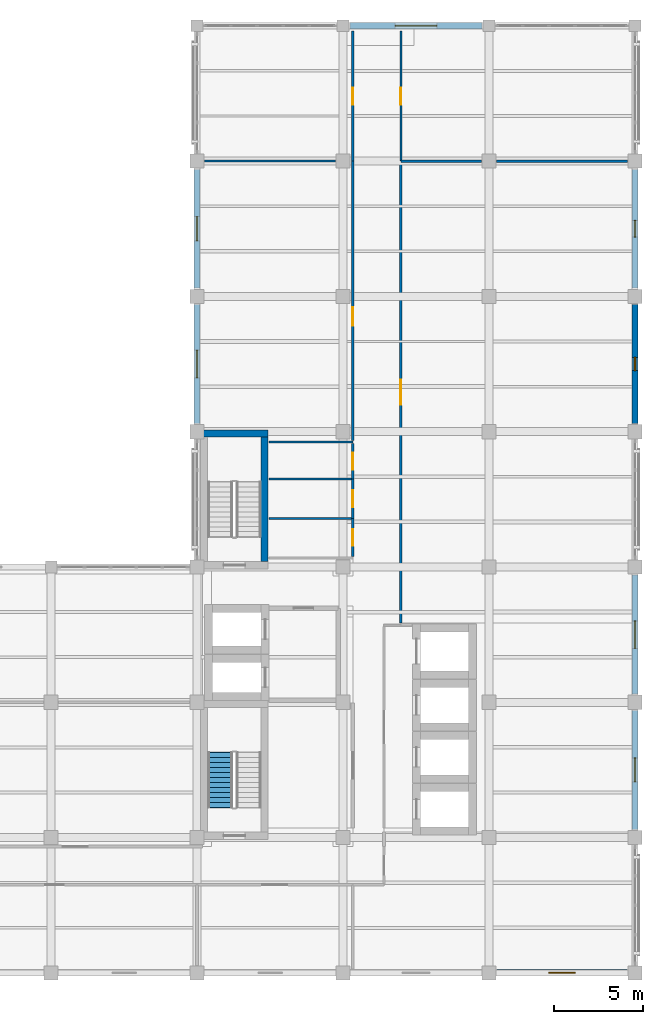
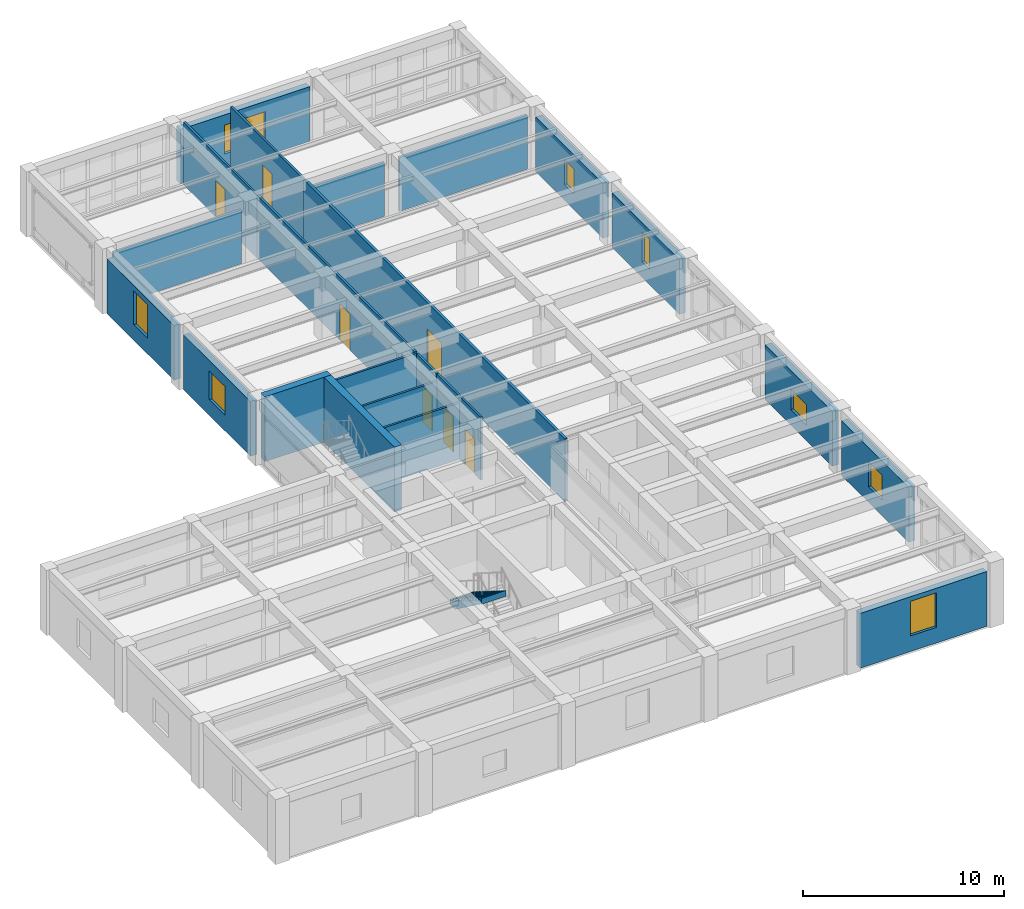
# One storey, part 9 of 14: 23 walls, 8 windows, 7 doors, 1 stair flight, 15 openings, 1 element without a shape of its own.
"""IFC4 building model written with IfcOpenShell, lengths in metres."""

from ifc_helpers import new_model, si_unit, direction, frame, frame_2d, origin, place, context, subcontext, project, spatial, polyline, rectangle, outline, extrude, material, layer, layer_set, type_object, element, fill, aggregate, save


model = new_model("IFC4")

# Units and contexts
model_context = context("Model", 3, precision=1e-05, world=origin(), true_north=direction((0.0, 1.0)))
body_context = subcontext(model_context, "Body", "Model", "MODEL_VIEW")
ifc_project = project(units=[si_unit("LENGTHUNIT", "METRE"), si_unit("AREAUNIT", "SQUARE_METRE"), si_unit("VOLUMEUNIT", "CUBIC_METRE"), si_unit("PLANEANGLEUNIT", "RADIAN"), si_unit("MASSUNIT", "GRAM", prefix="KILO")], contexts=[model_context])

# Site, building, storey
site_placement = place(None, origin())
site = spatial("IfcSite", under=ifc_project, at=site_placement, CompositionType="ELEMENT")
building_placement = place(site_placement, origin())
building = spatial("IfcBuilding", under=site, at=building_placement, Name="Qandaris Square Conservatory and Botanical Centre", CompositionType="ELEMENT")
storey_placement = place(building_placement, frame((0.0, 0.0, 40.800048828125)))
storey = spatial("IfcBuildingStorey", under=building, at=storey_placement, Name="L09", CompositionType="ELEMENT", Elevation=40.800048828125)

# Wall, opening, door
ifc_material_1 = material(Name="Gypsum Plasterboard", Category="gypsum")
ifc_layer_1 = layer(ifc_material_1, 0.14990234375)
ifc_layer_set_1 = layer_set([ifc_layer_1], Name="Gypsum Plasterboard")
wall_type_1 = type_object("IfcWallType", Name="Acoustic Laboratory Partition 150mm", PredefinedType="PARTITIONING", material=ifc_layer_set_1)
wall_1_placement = place(storey_placement, frame((150.64990234375, 62.199951171875, 0.0), z_axis=(0.0, 0.0, 1.0), x_axis=(0.0, -1.0, 0.0)))
wall_1 = element("IfcWall", 1, at=wall_1_placement, inside=storey, type_object=wall_type_1, Name="Interior Partition IW-L09-0330", PredefinedType="PARTITIONING", context=body_context, shape_type="SweptSolid", body=[
    extrude(rectangle(XDim=25.949951171875, YDim=0.14990234375, at=frame_2d((12.97509765625, 0.0))), origin(), (0.0, 0.0, 1.0), 3.804931640625),
])
opening_1_placement = place(wall_1_placement, frame((12.27490234375, 0.0, 0.0)))
opening_1 = element("IfcOpeningElement", 2, at=opening_1_placement, cuts=wall_1, Name="Opening D-LAB1", PredefinedType="OPENING", context=body_context, shape_type="SweptSolid", body=[
    extrude(rectangle(XDim=1.39990234375, YDim=2.199951171875, at=frame_2d((0.699951171875, 1.10009765625))), frame((0.0, 0.0869140625, 0.0), z_axis=(0.0, -1.0, 0.0), x_axis=(1.0, 0.0, 0.0)), (0.0, 0.0, 1.0), 0.173828125),
])
ifc_material_2 = material(Name="Engineered Oak Timber", Category="wood")
door_type_1 = type_object("IfcDoorType", Name="Research Laboratory Leaf-and-Half Door 1400x2200", OperationType="DOUBLE_DOOR_SINGLE_SWING", PredefinedType="DOOR", material=ifc_material_2)
door_1_placement = place(opening_1_placement, frame((1.39990234375, 0.0, 0.0), z_axis=(0.0, 0.0, 1.0), x_axis=(-1.0, 0.0, 0.0)))
door_1 = element("IfcDoor", 3, at=door_1_placement, inside=storey, type_object=door_type_1, Name="DR-0295 Mangrove Restoration Analytical Laboratory Door", OperationType="DOUBLE_DOOR_SINGLE_SWING", OverallHeight=2.199951171875, OverallWidth=1.39990234375, PredefinedType="DOOR", context=body_context, shape_type="SweptSolid", body=[
    extrude(rectangle(XDim=1.39990234375, YDim=2.199951171875, at=frame_2d((0.699951171875, 1.10009765625))), frame((0.0, 0.02490234375, 0.0), z_axis=(0.0, -1.0, 0.0), x_axis=(1.0, 0.0, 0.0)), (0.0, 0.0, 1.0), 0.050048828125),
])
fill(opening_1, door_1)

# Walls
wall_2_placement = place(storey_placement, frame((150.64990234375, 62.199951171875, 0.0), z_axis=(0.0, 0.0, 1.0), x_axis=(1.0, 0.0, 0.0)))
element("IfcWall", 4, at=wall_2_placement, inside=storey, type_object=wall_type_1, Name="Interior Partition IW-L09-0337", PredefinedType="PARTITIONING", context=body_context, shape_type="SweptSolid", body=[
    extrude(rectangle(XDim=4.530029296875, YDim=0.14990234375, at=frame_2d((2.26513671875, 0.0))), origin(), (0.0, 0.0, 1.0), 3.27490234375),
])
wall_3_placement = place(storey_placement, frame((156.02001953125, 62.199951171875, 0.0), z_axis=(0.0, 0.0, 1.0), x_axis=(1.0, 0.0, 0.0)))
element("IfcWall", 5, at=wall_3_placement, inside=storey, type_object=wall_type_1, Name="Interior Partition IW-L09-0338", PredefinedType="PARTITIONING", context=body_context, shape_type="SweptSolid", body=[
    extrude(rectangle(XDim=7.35986328125, YDim=0.14990234375, at=frame_2d((3.679931640625, 0.0))), origin(), (0.0, 0.0, 1.0), 3.27490234375),
])

# Wall, opening, window
ifc_material_3 = material(Name="Precast concrete C40/50", Category="concrete")
ifc_layer_2 = layer(ifc_material_3, 0.360107421875)
ifc_layer_set_2 = layer_set([ifc_layer_2], Name="Precast concrete C40/50")
wall_type_2 = type_object("IfcWallType", Name="Architectural Precast Cladding Wall 360mm", PredefinedType="SOLIDWALL", material=ifc_layer_set_2)
wall_4_placement = place(storey_placement, frame((156.06005859375, 16.60009765625, 0.0), z_axis=(0.0, 0.0, 1.0), x_axis=(1.0, 0.0, 0.0)))
wall_4 = element("IfcWall", 6, at=wall_4_placement, inside=storey, type_object=wall_type_2, Name="Exterior Wall EW-TWR-L09-1-5", PredefinedType="SOLIDWALL", context=body_context, shape_type="SweptSolid", body=[
    extrude(rectangle(XDim=7.280029296875, YDim=0.360107421875, at=frame_2d((3.64013671875, 0.0))), origin(), (0.0, 0.0, 1.0), 3.324951171875),
])
opening_2_placement = place(wall_4_placement, frame((2.889892578125, 0.0, 0.949951171875)))
opening_2 = element("IfcOpeningElement", 7, at=opening_2_placement, cuts=wall_4, Name="Opening WN-02", PredefinedType="OPENING", context=body_context, shape_type="SweptSolid", body=[
    extrude(rectangle(XDim=1.5, YDim=2.10009765625, at=frame_2d((0.75, 1.050048828125))), frame((0.0, 0.19189453125, 0.0), z_axis=(0.0, -1.0, 0.0), x_axis=(1.0, 0.0, 0.0)), (0.0, 0.0, 1.0), 0.384033203125),
])
ifc_material_4 = material(Name="Tempered Low-E Glass", Category="glass")
window_type_1 = type_object("IfcWindowType", Name="Deep-Set Paired Research Window 1500x2100", PartitioningType="DOUBLE_PANEL_VERTICAL", PredefinedType="WINDOW", material=ifc_material_4)
window_1_placement = place(opening_2_placement, origin())
window_1 = element("IfcWindow", 8, at=window_1_placement, inside=storey, type_object=window_type_1, Name="Window EW-TWR-L09-1-5", OverallHeight=2.10009765625, OverallWidth=1.5, PartitioningType="DOUBLE_PANEL_VERTICAL", PredefinedType="WINDOW", context=body_context, shape_type="SweptSolid", body=[
    extrude(rectangle(XDim=1.5, YDim=2.10009765625, at=frame_2d((0.75, 1.050048828125))), frame((0.0, 0.030029296875, 0.0), z_axis=(0.0, -1.0, 0.0), x_axis=(1.0, 0.0, 0.0)), (0.0, 0.0, 1.0), 0.06005859375),
])
fill(opening_2, window_1)

wall_5_placement = place(storey_placement, frame((163.800048828125, 24.659912109375, 0.0), z_axis=(0.0, 0.0, 1.0), x_axis=(0.0, 1.0, 0.0)))
wall_5 = element("IfcWall", 9, at=wall_5_placement, inside=storey, type_object=wall_type_2, Name="Exterior Wall EW-TWR-L09-2-2", PredefinedType="SOLIDWALL", context=body_context, shape_type="SweptSolid", body=[
    extrude(rectangle(XDim=6.68017578125, YDim=0.360107421875, at=frame_2d((3.340087890625, 0.0))), origin(), (0.0, 0.0, 1.0), 3.324951171875),
])
opening_3_placement = place(wall_5_placement, frame((2.6650390625, 0.0, 0.949951171875)))
opening_3 = element("IfcOpeningElement", 10, at=opening_3_placement, cuts=wall_5, Name="Opening WN-22", PredefinedType="OPENING", context=body_context, shape_type="SweptSolid", body=[
    extrude(rectangle(XDim=1.35009765625, YDim=1.5, at=frame_2d((0.675048828125, 0.75))), frame((0.0, 0.19189453125, 0.0), z_axis=(0.0, -1.0, 0.0), x_axis=(1.0, 0.0, 0.0)), (0.0, 0.0, 1.0), 0.384033203125),
])
window_type_2 = type_object("IfcWindowType", Name="Solar Control Window 1350x1500", PartitioningType="SINGLE_PANEL", PredefinedType="WINDOW", material=ifc_material_4)
window_2_placement = place(opening_3_placement, origin())
window_2 = element("IfcWindow", 11, at=window_2_placement, inside=storey, type_object=window_type_2, Name="Window EW-TWR-L09-2-2", OverallHeight=1.5, OverallWidth=1.35009765625, PartitioningType="SINGLE_PANEL", PredefinedType="WINDOW", context=body_context, shape_type="SweptSolid", body=[
    extrude(rectangle(XDim=1.35009765625, YDim=1.5, at=frame_2d((0.675048828125, 0.75))), frame((0.0, 0.030029296875, 0.0), z_axis=(0.0, -1.0, 0.0), x_axis=(1.0, 0.0, 0.0)), (0.0, 0.0, 1.0), 0.06005859375),
])
fill(opening_3, window_2)

wall_6_placement = place(storey_placement, frame((163.800048828125, 32.260009765625, 0.0), z_axis=(0.0, 0.0, 1.0), x_axis=(0.0, 1.0, 0.0)))
wall_6 = element("IfcWall", 12, at=wall_6_placement, inside=storey, type_object=wall_type_2, Name="Exterior Wall EW-TWR-L09-2-3", PredefinedType="SOLIDWALL", context=body_context, shape_type="SweptSolid", body=[
    extrude(rectangle(XDim=6.679931640625, YDim=0.360107421875, at=frame_2d((3.33984375, 0.0))), origin(), (0.0, 0.0, 1.0), 3.324951171875),
])
opening_4_placement = place(wall_6_placement, frame((2.56494140625, 0.0, 0.949951171875)))
opening_4 = element("IfcOpeningElement", 13, at=opening_4_placement, cuts=wall_6, Name="Opening WN-25", PredefinedType="OPENING", context=body_context, shape_type="SweptSolid", body=[
    extrude(rectangle(XDim=1.550048828125, YDim=1.25, at=frame_2d((0.77490234375, 0.625))), frame((0.0, 0.19189453125, 0.0), z_axis=(0.0, -1.0, 0.0), x_axis=(1.0, 0.0, 0.0)), (0.0, 0.0, 1.0), 0.384033203125),
])
window_type_3 = type_object("IfcWindowType", Name="Solar Control Window 1550x1250", PartitioningType="DOUBLE_PANEL_VERTICAL", PredefinedType="WINDOW", material=ifc_material_4)
window_3_placement = place(opening_4_placement, origin())
window_3 = element("IfcWindow", 14, at=window_3_placement, inside=storey, type_object=window_type_3, Name="Window EW-TWR-L09-2-3", OverallHeight=1.25, OverallWidth=1.550048828125, PartitioningType="DOUBLE_PANEL_VERTICAL", PredefinedType="WINDOW", context=body_context, shape_type="SweptSolid", body=[
    extrude(rectangle(XDim=1.550048828125, YDim=1.25, at=frame_2d((0.77490234375, 0.625))), frame((0.0, 0.030029296875, 0.0), z_axis=(0.0, -1.0, 0.0), x_axis=(1.0, 0.0, 0.0)), (0.0, 0.0, 1.0), 0.06005859375),
])
fill(opening_4, window_3)

wall_7_placement = place(storey_placement, frame((163.800048828125, 47.4599609375, 0.0), z_axis=(0.0, 0.0, 1.0), x_axis=(0.0, 1.0, 0.0)))
wall_7 = element("IfcWall", 15, at=wall_7_placement, inside=storey, type_object=wall_type_2, Name="Exterior Wall EW-TWR-L09-2-5", PredefinedType="SOLIDWALL", context=body_context, shape_type="SweptSolid", body=[
    extrude(rectangle(XDim=6.679931640625, YDim=0.360107421875, at=frame_2d((3.33984375, 0.0))), origin(), (0.0, 0.0, 1.0), 3.324951171875),
])
opening_5_placement = place(wall_7_placement, frame((2.965087890625, 0.0, 0.949951171875)))
opening_5 = element("IfcOpeningElement", 16, at=opening_5_placement, cuts=wall_7, Name="Opening WN-03", PredefinedType="OPENING", context=body_context, shape_type="SweptSolid", body=[
    extrude(rectangle(XDim=0.75, YDim=1.800048828125, at=frame_2d((0.375, 0.89990234375))), frame((0.0, 0.19189453125, 0.0), z_axis=(0.0, -1.0, 0.0), x_axis=(1.0, 0.0, 0.0)), (0.0, 0.0, 1.0), 0.384033203125),
])
window_type_4 = type_object("IfcWindowType", Name="Herbarium UV-Filtered Slot Window 750x1800", PartitioningType="SINGLE_PANEL", PredefinedType="WINDOW", material=ifc_material_4)
window_4_placement = place(opening_5_placement, origin())
window_4 = element("IfcWindow", 17, at=window_4_placement, inside=storey, type_object=window_type_4, Name="Window EW-TWR-L09-2-5", OverallHeight=1.800048828125, OverallWidth=0.75, PartitioningType="SINGLE_PANEL", PredefinedType="WINDOW", context=body_context, shape_type="SweptSolid", body=[
    extrude(rectangle(XDim=0.75, YDim=1.800048828125, at=frame_2d((0.375, 0.89990234375))), frame((0.0, 0.030029296875, 0.0), z_axis=(0.0, -1.0, 0.0), x_axis=(1.0, 0.0, 0.0)), (0.0, 0.0, 1.0), 0.06005859375),
])
fill(opening_5, window_4)

wall_8_placement = place(storey_placement, frame((163.800048828125, 55.06005859375, 0.0), z_axis=(0.0, 0.0, 1.0), x_axis=(0.0, 1.0, 0.0)))
wall_8 = element("IfcWall", 18, at=wall_8_placement, inside=storey, type_object=wall_type_2, Name="Exterior Wall EW-TWR-L09-2-6", PredefinedType="SOLIDWALL", context=body_context, shape_type="SweptSolid", body=[
    extrude(rectangle(XDim=6.679931640625, YDim=0.360107421875, at=frame_2d((3.33984375, 0.0))), origin(), (0.0, 0.0, 1.0), 3.324951171875),
])
opening_6_placement = place(wall_8_placement, frame((2.864990234375, 0.0, 0.949951171875)))
opening_6 = element("IfcOpeningElement", 19, at=opening_6_placement, cuts=wall_8, Name="Opening WN-14", PredefinedType="OPENING", context=body_context, shape_type="SweptSolid", body=[
    extrude(rectangle(XDim=0.949951171875, YDim=1.5, at=frame_2d((0.47509765625, 0.75))), frame((0.0, 0.19189453125, 0.0), z_axis=(0.0, -1.0, 0.0), x_axis=(1.0, 0.0, 0.0)), (0.0, 0.0, 1.0), 0.384033203125),
])
window_type_5 = type_object("IfcWindowType", Name="Solar Control Window 950x1500", PartitioningType="SINGLE_PANEL", PredefinedType="WINDOW", material=ifc_material_4)
window_5_placement = place(opening_6_placement, origin())
window_5 = element("IfcWindow", 20, at=window_5_placement, inside=storey, type_object=window_type_5, Name="Window EW-TWR-L09-2-6", OverallHeight=1.5, OverallWidth=0.949951171875, PartitioningType="SINGLE_PANEL", PredefinedType="WINDOW", context=body_context, shape_type="SweptSolid", body=[
    extrude(rectangle(XDim=0.949951171875, YDim=1.5, at=frame_2d((0.47509765625, 0.75))), frame((0.0, 0.030029296875, 0.0), z_axis=(0.0, -1.0, 0.0), x_axis=(1.0, 0.0, 0.0)), (0.0, 0.0, 1.0), 0.06005859375),
])
fill(opening_6, window_5)

wall_9_placement = place(storey_placement, frame((155.215087890625, 69.800048828125, 0.0), z_axis=(0.0, 0.0, 1.0), x_axis=(-1.0, 0.0, 0.0)))
wall_9 = element("IfcWall", 21, at=wall_9_placement, inside=storey, type_object=wall_type_2, Name="Exterior Wall EW-TWR-L09-3-2", PredefinedType="SOLIDWALL", context=body_context, shape_type="SweptSolid", body=[
    extrude(rectangle(XDim=7.43017578125, YDim=0.360107421875, at=frame_2d((3.715087890625, 0.0))), origin(), (0.0, 0.0, 1.0), 3.324951171875),
])
opening_7_placement = place(wall_9_placement, frame((2.5400390625, 0.0, 0.949951171875)))
opening_7 = element("IfcOpeningElement", 22, at=opening_7_placement, cuts=wall_9, Name="Opening WN-39", PredefinedType="OPENING", context=body_context, shape_type="SweptSolid", body=[
    extrude(rectangle(XDim=2.35009765625, YDim=1.75, at=frame_2d((1.175048828125, 0.875))), frame((0.0, 0.19189453125, 0.0), z_axis=(0.0, -1.0, 0.0), x_axis=(1.0, 0.0, 0.0)), (0.0, 0.0, 1.0), 0.384033203125),
])
window_type_6 = type_object("IfcWindowType", Name="Solar Control Window 2350x1750", PartitioningType="DOUBLE_PANEL_VERTICAL", PredefinedType="WINDOW", material=ifc_material_4)
window_6_placement = place(opening_7_placement, origin())
window_6 = element("IfcWindow", 23, at=window_6_placement, inside=storey, type_object=window_type_6, Name="Window EW-TWR-L09-3-2", OverallHeight=1.75, OverallWidth=2.35009765625, PartitioningType="DOUBLE_PANEL_VERTICAL", PredefinedType="WINDOW", context=body_context, shape_type="SweptSolid", body=[
    extrude(rectangle(XDim=2.35009765625, YDim=1.75, at=frame_2d((1.175048828125, 0.875))), frame((0.0, 0.030029296875, 0.0), z_axis=(0.0, -1.0, 0.0), x_axis=(1.0, 0.0, 0.0)), (0.0, 0.0, 1.0), 0.06005859375),
])
fill(opening_7, window_6)

wall_10_placement = place(storey_placement, frame((139.199951171875, 61.739990234375, 0.0), z_axis=(0.0, 0.0, 1.0), x_axis=(0.0, -1.0, 0.0)))
wall_10 = element("IfcWall", 24, at=wall_10_placement, inside=storey, type_object=wall_type_2, Name="Exterior Wall EW-TWR-L09-4-2", PredefinedType="SOLIDWALL", context=body_context, shape_type="SweptSolid", body=[
    extrude(rectangle(XDim=6.679931640625, YDim=0.360107421875, at=frame_2d((3.33984375, 0.0))), origin(), (0.0, 0.0, 1.0), 3.324951171875),
])
opening_8_placement = place(wall_10_placement, frame((2.6650390625, 0.0, 0.949951171875)))
opening_8 = element("IfcOpeningElement", 25, at=opening_8_placement, cuts=wall_10, Name="Opening WN-24", PredefinedType="OPENING", context=body_context, shape_type="SweptSolid", body=[
    extrude(rectangle(XDim=1.35009765625, YDim=2.050048828125, at=frame_2d((0.675048828125, 1.02490234375))), frame((0.0, 0.19189453125, 0.0), z_axis=(0.0, -1.0, 0.0), x_axis=(1.0, 0.0, 0.0)), (0.0, 0.0, 1.0), 0.384033203125),
])
window_type_7 = type_object("IfcWindowType", Name="Solar Control Window 1350x2050", PartitioningType="SINGLE_PANEL", PredefinedType="WINDOW", material=ifc_material_4)
window_7_placement = place(opening_8_placement, origin())
window_7 = element("IfcWindow", 26, at=window_7_placement, inside=storey, type_object=window_type_7, Name="Window EW-TWR-L09-4-2", OverallHeight=2.050048828125, OverallWidth=1.35009765625, PartitioningType="SINGLE_PANEL", PredefinedType="WINDOW", context=body_context, shape_type="SweptSolid", body=[
    extrude(rectangle(XDim=1.35009765625, YDim=2.050048828125, at=frame_2d((0.675048828125, 1.02490234375))), frame((0.0, 0.030029296875, 0.0), z_axis=(0.0, -1.0, 0.0), x_axis=(1.0, 0.0, 0.0)), (0.0, 0.0, 1.0), 0.06005859375),
])
fill(opening_8, window_7)

wall_11_placement = place(storey_placement, frame((139.199951171875, 54.139892578125, 0.0), z_axis=(0.0, 0.0, 1.0), x_axis=(0.0, -1.0, 0.0)))
wall_11 = element("IfcWall", 27, at=wall_11_placement, inside=storey, type_object=wall_type_2, Name="Exterior Wall EW-TWR-L09-4-3", PredefinedType="SOLIDWALL", context=body_context, shape_type="SweptSolid", body=[
    extrude(rectangle(XDim=6.679931640625, YDim=0.360107421875, at=frame_2d((3.33984375, 0.0))), origin(), (0.0, 0.0, 1.0), 3.324951171875),
])
opening_9_placement = place(wall_11_placement, frame((2.56494140625, 0.0, 0.949951171875)))
opening_9 = element("IfcOpeningElement", 28, at=opening_9_placement, cuts=wall_11, Name="Opening WN-27", PredefinedType="OPENING", context=body_context, shape_type="SweptSolid", body=[
    extrude(rectangle(XDim=1.550048828125, YDim=1.75, at=frame_2d((0.77490234375, 0.875))), frame((0.0, 0.19189453125, 0.0), z_axis=(0.0, -1.0, 0.0), x_axis=(1.0, 0.0, 0.0)), (0.0, 0.0, 1.0), 0.384033203125),
])
window_type_8 = type_object("IfcWindowType", Name="Solar Control Window 1550x1750", PartitioningType="DOUBLE_PANEL_VERTICAL", PredefinedType="WINDOW", material=ifc_material_4)
window_8_placement = place(opening_9_placement, origin())
window_8 = element("IfcWindow", 29, at=window_8_placement, inside=storey, type_object=window_type_8, Name="Window EW-TWR-L09-4-3", OverallHeight=1.75, OverallWidth=1.550048828125, PartitioningType="DOUBLE_PANEL_VERTICAL", PredefinedType="WINDOW", context=body_context, shape_type="SweptSolid", body=[
    extrude(rectangle(XDim=1.550048828125, YDim=1.75, at=frame_2d((0.77490234375, 0.875))), frame((0.0, 0.030029296875, 0.0), z_axis=(0.0, -1.0, 0.0), x_axis=(1.0, 0.0, 0.0)), (0.0, 0.0, 1.0), 0.06005859375),
])
fill(opening_9, window_8)

# Walls
ifc_material_5 = material(Name="Concrete C50/60", Category="concrete")
ifc_layer_3 = layer(ifc_material_5, 0.39990234375)
ifc_layer_set_3 = layer_set([ifc_layer_3], Name="Concrete C50/60")
wall_type_3 = type_object("IfcWallType", Name="RC Stair Core Shear Wall 400mm", PredefinedType="SHEAR", material=ifc_layer_set_3)
wall_12_placement = place(storey_placement, frame((139.39990234375, 46.89990234375, 0.0), z_axis=(0.0, 0.0, 1.0), x_axis=(1.0, 0.0, 0.0)))
element("IfcWall", 30, at=wall_12_placement, inside=storey, type_object=wall_type_3, Name="ST-2 Core Shear Wall North (L09)", PredefinedType="SHEAR", context=body_context, shape_type="SweptSolid", body=[
    extrude(rectangle(XDim=3.800048828125, YDim=0.39990234375, at=frame_2d((1.89990234375, 0.0))), origin(), (0.0, 0.0, 1.0), 3.93994140625),
])
wall_13_placement = place(storey_placement, frame((143.0, 39.699951171875, 0.0), z_axis=(0.0, 0.0, 1.0), x_axis=(0.0, 1.0, 0.0)))
element("IfcWall", 31, at=wall_13_placement, inside=storey, type_object=wall_type_3, Name="ST-2 Core Shear Wall East (L09)", PredefinedType="SHEAR", context=body_context, shape_type="SweptSolid", body=[
    extrude(rectangle(XDim=7.0, YDim=0.39990234375, at=frame_2d((3.5, 0.0))), origin(), (0.0, 0.0, 1.0), 3.93994140625),
])
ifc_layer_4 = layer(ifc_material_1, 0.1201171875)
ifc_layer_set_4 = layer_set([ifc_layer_4], Name="Gypsum Plasterboard")
wall_type_4 = type_object("IfcWallType", Name="Standard Research Partition 120mm", PredefinedType="PARTITIONING", material=ifc_layer_set_4)
wall_14_placement = place(storey_placement, frame((143.22998046875, 46.419921875, 0.0), z_axis=(0.0, 0.0, 1.0), x_axis=(1.0, 0.0, 0.0)))
element("IfcWall", 32, at=wall_14_placement, inside=storey, type_object=wall_type_4, Name="Sanitary Toilet Partition Wall WCW-L09-NORTH1", PredefinedType="PARTITIONING", context=body_context, shape_type="SweptSolid", body=[
    extrude(rectangle(XDim=4.719970703125, YDim=0.1201171875, at=frame_2d((2.35986328125, 0.0))), origin(), (0.0, 0.0, 1.0), 3.804931640625),
])
wall_15_placement = place(storey_placement, frame((143.22998046875, 42.1201171875, 0.0), z_axis=(0.0, 0.0, 1.0), x_axis=(1.0, 0.0, 0.0)))
element("IfcWall", 33, at=wall_15_placement, inside=storey, type_object=wall_type_4, Name="Interior Partition IW-L09-0320", PredefinedType="PARTITIONING", context=body_context, shape_type="SweptSolid", body=[
    extrude(rectangle(XDim=4.719970703125, YDim=0.1201171875, at=frame_2d((2.35986328125, 0.0))), origin(), (0.0, 0.0, 1.0), 3.4150390625),
])

# Wall, opening, door
wall_16_placement = place(storey_placement, frame((147.949951171875, 42.1201171875, 0.0), z_axis=(0.0, 0.0, 1.0), x_axis=(0.0, -1.0, 0.0)))
wall_16 = element("IfcWall", 34, at=wall_16_placement, inside=storey, type_object=wall_type_4, Name="Interior Partition IW-L09-0321", PredefinedType="PARTITIONING", context=body_context, shape_type="SweptSolid", body=[
    extrude(rectangle(XDim=2.130126953125, YDim=0.1201171875, at=frame_2d((1.06494140625, 0.0))), origin(), (0.0, 0.0, 1.0), 3.804931640625),
])
opening_10_placement = place(wall_16_placement, frame((0.590087890625, 0.0, 0.0)))
opening_10 = element("IfcOpeningElement", 35, at=opening_10_placement, cuts=wall_16, Name="Opening D-WC1", PredefinedType="OPENING", context=body_context, shape_type="SweptSolid", body=[
    extrude(rectangle(XDim=0.949951171875, YDim=2.14990234375, at=frame_2d((0.47509765625, 1.074951171875))), frame((0.0, 0.072021484375, 0.0), z_axis=(0.0, -1.0, 0.0), x_axis=(1.0, 0.0, 0.0)), (0.0, 0.0, 1.0), 0.14404296875),
])
door_type_2 = type_object("IfcDoorType", Name="Accessible Sanitary Room Door 950x2150", OperationType="NOTDEFINED", PredefinedType="DOOR", material=ifc_material_2)
door_2_placement = place(opening_10_placement, origin())
door_2 = element("IfcDoor", 36, at=door_2_placement, inside=storey, type_object=door_type_2, Name="DR-0306 Accessible Toilet L09 Door", OperationType="SINGLE_SWING_LEFT", OverallHeight=2.14990234375, OverallWidth=0.949951171875, PredefinedType="DOOR", context=body_context, shape_type="SweptSolid", body=[
    extrude(rectangle(XDim=0.949951171875, YDim=2.14990234375, at=frame_2d((0.47509765625, 1.074951171875))), frame((0.0, 0.02490234375, 0.0), z_axis=(0.0, -1.0, 0.0), x_axis=(1.0, 0.0, 0.0)), (0.0, 0.0, 1.0), 0.050048828125),
])
fill(opening_10, door_2)

# Wall
wall_17_placement = place(storey_placement, frame((143.22998046875, 44.340087890625, 0.0), z_axis=(0.0, 0.0, 1.0), x_axis=(1.0, 0.0, 0.0)))
element("IfcWall", 37, at=wall_17_placement, inside=storey, type_object=wall_type_4, Name="Interior Partition IW-L09-0322", PredefinedType="PARTITIONING", context=body_context, shape_type="SweptSolid", body=[
    extrude(rectangle(XDim=4.719970703125, YDim=0.1201171875, at=frame_2d((2.35986328125, 0.0))), origin(), (0.0, 0.0, 1.0), 3.364990234375),
])

# Wall, opening, door
wall_18_placement = place(storey_placement, frame((147.949951171875, 44.340087890625, 0.0), z_axis=(0.0, 0.0, 1.0), x_axis=(0.0, -1.0, 0.0)))
wall_18 = element("IfcWall", 38, at=wall_18_placement, inside=storey, type_object=wall_type_4, Name="Interior Partition IW-L09-0323", PredefinedType="PARTITIONING", context=body_context, shape_type="SweptSolid", body=[
    extrude(rectangle(XDim=2.219970703125, YDim=0.1201171875, at=frame_2d((1.10986328125, 0.0))), origin(), (0.0, 0.0, 1.0), 3.804931640625),
])
opening_11_placement = place(wall_18_placement, frame((0.635009765625, 0.0, 0.0)))
opening_11 = element("IfcOpeningElement", 39, at=opening_11_placement, cuts=wall_18, Name="Opening D-WC1", PredefinedType="OPENING", context=body_context, shape_type="SweptSolid", body=[
    extrude(rectangle(XDim=0.949951171875, YDim=2.14990234375, at=frame_2d((0.47509765625, 1.074951171875))), frame((0.0, 0.072021484375, 0.0), z_axis=(0.0, -1.0, 0.0), x_axis=(1.0, 0.0, 0.0)), (0.0, 0.0, 1.0), 0.14404296875),
])
door_3_placement = place(opening_11_placement, origin())
door_3 = element("IfcDoor", 40, at=door_3_placement, inside=storey, type_object=door_type_2, Name="DR-0307 Staff Male Toilet L09 Door", OperationType="SINGLE_SWING_RIGHT", OverallHeight=2.14990234375, OverallWidth=0.949951171875, PredefinedType="DOOR", context=body_context, shape_type="SweptSolid", body=[
    extrude(rectangle(XDim=0.949951171875, YDim=2.14990234375, at=frame_2d((0.47509765625, 1.074951171875))), frame((0.0, 0.02490234375, 0.0), z_axis=(0.0, -1.0, 0.0), x_axis=(1.0, 0.0, 0.0)), (0.0, 0.0, 1.0), 0.050048828125),
])
fill(opening_11, door_3)

wall_19_placement = place(storey_placement, frame((147.949951171875, 46.330078125, 0.0), z_axis=(0.0, 0.0, 1.0), x_axis=(0.0, -1.0, 0.0)))
wall_19 = element("IfcWall", 41, at=wall_19_placement, inside=storey, type_object=wall_type_4, Name="Interior Partition IW-L09-0324", PredefinedType="PARTITIONING", context=body_context, shape_type="SweptSolid", body=[
    extrude(rectangle(XDim=1.989990234375, YDim=0.1201171875, at=frame_2d((0.9951171875, 0.0))), origin(), (0.0, 0.0, 1.0), 3.804931640625),
])
opening_12_placement = place(wall_19_placement, frame((0.52001953125, 0.0, 0.0)))
opening_12 = element("IfcOpeningElement", 42, at=opening_12_placement, cuts=wall_19, Name="Opening D-WC1", PredefinedType="OPENING", context=body_context, shape_type="SweptSolid", body=[
    extrude(rectangle(XDim=0.949951171875, YDim=2.14990234375, at=frame_2d((0.47509765625, 1.074951171875))), frame((0.0, 0.072021484375, 0.0), z_axis=(0.0, -1.0, 0.0), x_axis=(1.0, 0.0, 0.0)), (0.0, 0.0, 1.0), 0.14404296875),
])
door_4_placement = place(opening_12_placement, frame((0.949951171875, 0.0, 0.0), z_axis=(0.0, 0.0, 1.0), x_axis=(-1.0, 0.0, 0.0)))
door_4 = element("IfcDoor", 43, at=door_4_placement, inside=storey, type_object=door_type_2, Name="DR-0308 Staff Female Toilet L09 Door", OperationType="SINGLE_SWING_LEFT", OverallHeight=2.14990234375, OverallWidth=0.949951171875, PredefinedType="DOOR", context=body_context, shape_type="SweptSolid", body=[
    extrude(rectangle(XDim=0.949951171875, YDim=2.14990234375, at=frame_2d((0.47509765625, 1.074951171875))), frame((0.0, 0.02490234375, 0.0), z_axis=(0.0, -1.0, 0.0), x_axis=(1.0, 0.0, 0.0)), (0.0, 0.0, 1.0), 0.050048828125),
])
fill(opening_12, door_4)

wall_20_placement = place(storey_placement, frame((147.949951171875, 46.510009765625, 0.0), z_axis=(0.0, 0.0, 1.0), x_axis=(0.0, 1.0, 0.0)))
wall_20 = element("IfcWall", 44, at=wall_20_placement, inside=storey, type_object=wall_type_4, Name="Interior Partition IW-L09-0331", PredefinedType="PARTITIONING", context=body_context, shape_type="SweptSolid", body=[
    extrude(rectangle(XDim=15.68994140625, YDim=0.1201171875, at=frame_2d((7.844970703125, 0.0))), origin(), (0.0, 0.0, 1.0), 3.804931640625),
])
opening_13_placement = place(wall_20_placement, frame((6.443115234375, 0.0, 0.0)))
opening_13 = element("IfcOpeningElement", 45, at=opening_13_placement, cuts=wall_20, Name="Opening D-LAB2", PredefinedType="OPENING", context=body_context, shape_type="SweptSolid", body=[
    extrude(rectangle(XDim=1.050048828125, YDim=2.199951171875, at=frame_2d((0.52490234375, 1.10009765625))), frame((0.0, 0.072021484375, 0.0), z_axis=(0.0, -1.0, 0.0), x_axis=(1.0, 0.0, 0.0)), (0.0, 0.0, 1.0), 0.14404296875),
])
door_type_3 = type_object("IfcDoorType", Name="Analytical Laboratory Single Door 1050x2200", OperationType="NOTDEFINED", PredefinedType="DOOR", material=ifc_material_2)
door_5_placement = place(opening_13_placement, origin())
door_5 = element("IfcDoor", 46, at=door_5_placement, inside=storey, type_object=door_type_3, Name="DR-0299 Thermal Adaptation Specimen Prep Room Door", OperationType="SINGLE_SWING_RIGHT", OverallHeight=2.199951171875, OverallWidth=1.050048828125, PredefinedType="DOOR", context=body_context, shape_type="SweptSolid", body=[
    extrude(rectangle(XDim=1.050048828125, YDim=2.199951171875, at=frame_2d((0.52490234375, 1.10009765625))), frame((0.0, 0.02490234375, 0.0), z_axis=(0.0, -1.0, 0.0), x_axis=(1.0, 0.0, 0.0)), (0.0, 0.0, 1.0), 0.050048828125),
])
fill(opening_13, door_5)

wall_21_placement = place(storey_placement, frame((147.949951171875, 62.199951171875, 0.0), z_axis=(0.0, 0.0, 1.0), x_axis=(0.0, 1.0, 0.0)))
wall_21 = element("IfcWall", 47, at=wall_21_placement, inside=storey, type_object=wall_type_4, Name="Interior Partition IW-L09-0332", PredefinedType="PARTITIONING", context=body_context, shape_type="SweptSolid", body=[
    extrude(rectangle(XDim=7.300048828125, YDim=0.1201171875, at=frame_2d((3.64990234375, 0.0))), origin(), (0.0, 0.0, 1.0), 3.804931640625),
])
opening_14_placement = place(wall_21_placement, frame((3.175048828125, 0.0, 0.0)))
opening_14 = element("IfcOpeningElement", 48, at=opening_14_placement, cuts=wall_21, Name="Opening D-OFF1", PredefinedType="OPENING", context=body_context, shape_type="SweptSolid", body=[
    extrude(rectangle(XDim=0.949951171875, YDim=2.199951171875, at=frame_2d((0.47509765625, 1.10009765625))), frame((0.0, 0.072021484375, 0.0), z_axis=(0.0, -1.0, 0.0), x_axis=(1.0, 0.0, 0.0)), (0.0, 0.0, 1.0), 0.14404296875),
])
door_type_4 = type_object("IfcDoorType", Name="Research Office Acoustic Door 950x2200", OperationType="NOTDEFINED", PredefinedType="DOOR", material=ifc_material_2)
door_6_placement = place(opening_14_placement, frame((0.949951171875, 0.0, 0.0), z_axis=(0.0, 0.0, 1.0), x_axis=(-1.0, 0.0, 0.0)))
door_6 = element("IfcDoor", 49, at=door_6_placement, inside=storey, type_object=door_type_4, Name="DR-0301 Phenomics Imaging Collaborative Seminar Room Door", OperationType="SINGLE_SWING_LEFT", OverallHeight=2.199951171875, OverallWidth=0.949951171875, PredefinedType="DOOR", context=body_context, shape_type="SweptSolid", body=[
    extrude(rectangle(XDim=0.949951171875, YDim=2.199951171875, at=frame_2d((0.47509765625, 1.10009765625))), frame((0.0, 0.02490234375, 0.0), z_axis=(0.0, -1.0, 0.0), x_axis=(1.0, 0.0, 0.0)), (0.0, 0.0, 1.0), 0.050048828125),
])
fill(opening_14, door_6)

wall_22_placement = place(storey_placement, frame((150.64990234375, 69.5, 0.0), z_axis=(0.0, 0.0, 1.0), x_axis=(0.0, -1.0, 0.0)))
wall_22 = element("IfcWall", 50, at=wall_22_placement, inside=storey, type_object=wall_type_4, Name="Interior Partition IW-L09-0333", PredefinedType="PARTITIONING", context=body_context, shape_type="SweptSolid", body=[
    extrude(rectangle(XDim=7.300048828125, YDim=0.1201171875, at=frame_2d((3.64990234375, 0.0))), origin(), (0.0, 0.0, 1.0), 3.804931640625),
])
opening_15_placement = place(wall_22_placement, frame((3.175048828125, 0.0, 0.0)))
opening_15 = element("IfcOpeningElement", 51, at=opening_15_placement, cuts=wall_22, Name="Opening D-OFF1", PredefinedType="OPENING", context=body_context, shape_type="SweptSolid", body=[
    extrude(rectangle(XDim=0.949951171875, YDim=2.199951171875, at=frame_2d((0.47509765625, 1.10009765625))), frame((0.0, 0.072021484375, 0.0), z_axis=(0.0, -1.0, 0.0), x_axis=(1.0, 0.0, 0.0)), (0.0, 0.0, 1.0), 0.14404296875),
])
door_7_placement = place(opening_15_placement, origin())
door_7 = element("IfcDoor", 52, at=door_7_placement, inside=storey, type_object=door_type_4, Name="DR-0302 Floor L09 Staff Write-Up Lounge Door", OperationType="SINGLE_SWING_RIGHT", OverallHeight=2.199951171875, OverallWidth=0.949951171875, PredefinedType="DOOR", context=body_context, shape_type="SweptSolid", body=[
    extrude(rectangle(XDim=0.949951171875, YDim=2.199951171875, at=frame_2d((0.47509765625, 1.10009765625))), frame((0.0, 0.02490234375, 0.0), z_axis=(0.0, -1.0, 0.0), x_axis=(1.0, 0.0, 0.0)), (0.0, 0.0, 1.0), 0.050048828125),
])
fill(opening_15, door_7)

# Wall
wall_23_placement = place(storey_placement, frame((139.6201171875, 62.199951171875, 0.0), z_axis=(0.0, 0.0, 1.0), x_axis=(1.0, 0.0, 0.0)))
element("IfcWall", 53, at=wall_23_placement, inside=storey, type_object=wall_type_4, Name="Interior Partition IW-L09-0339", PredefinedType="PARTITIONING", context=body_context, shape_type="SweptSolid", body=[
    extrude(rectangle(XDim=7.35986328125, YDim=0.1201171875, at=frame_2d((3.679931640625, 0.0))), origin(), (0.0, 0.0, 1.0), 3.27490234375),
])

# Stair, stair flight
ifc_material_6 = material(Name="Concrete C40/50", Category="concrete")
stair_type = type_object("IfcStairType", Name="Core Escape Scissor Stair", PredefinedType="HALF_TURN_STAIR", material=ifc_material_6)
stair_placement = place(storey_placement, origin())
stair = element("IfcStair", 54, at=stair_placement, inside=storey, type_object=stair_type, Name="L09 Tower South Exit Stair ST-1", PredefinedType="HALF_TURN_STAIR")
stair_flight_type = type_object("IfcStairFlightType", Name="RC Precast Stair Flight 1400mm", PredefinedType="STRAIGHT", material=ifc_material_3)
stair_flight_placement = place(storey_placement, frame((140.5, 28.97998046875, 2.099853515625), z_axis=(0.0, 0.0, 1.0), x_axis=(0.0, -1.0, 0.0)))
stair_flight = element("IfcStairFlight", 55, at=stair_flight_placement, type_object=stair_flight_type, Name="ST-1 flight 2", NumberOfRisers=12, NumberOfTreads=11, PredefinedType="STRAIGHT", RiserHeight=0.175, TreadLength=0.28, context=body_context, shape_type="SweptSolid", body=[
    extrude(outline(polyline([(-0.034912109375, 0.0), (0.0, 0.0), (0.0, 0.175048828125), (0.280029296875, 0.175048828125), (0.280029296875, 0.35009765625), (0.56005859375, 0.35009765625), (0.56005859375, 0.52490234375), (0.840087890625, 0.52490234375), (0.840087890625, 0.699951171875), (1.1201171875, 0.699951171875), (1.1201171875, 0.875), (1.39990234375, 0.875), (1.39990234375, 1.050048828125), (1.679931640625, 1.050048828125), (1.679931640625, 1.22509765625), (1.9599609375, 1.22509765625), (1.9599609375, 1.39990234375), (2.239990234375, 1.39990234375), (2.239990234375, 1.574951171875), (2.52001953125, 1.574951171875), (2.52001953125, 1.75), (2.800048828125, 1.75), (2.800048828125, 1.925048828125), (3.080078125, 1.925048828125), (3.080078125, 2.10009765625), (3.114990234375, 2.10009765625), (3.114990234375, 1.748291015625), (3.080078125, 1.748291015625), (0.5068359375, -0.139892578125), (-0.034912109375, -0.139892578125), (-0.034912109375, 0.0)])), frame((0.0, 0.699951171875, 0.0), z_axis=(0.0, -1.0, 0.0), x_axis=(1.0, 0.0, 0.0)), (0.0, 0.0, 1.0), 1.39990234375),
])
aggregate(stair, [stair_flight])

save(model, "model.ifc")
